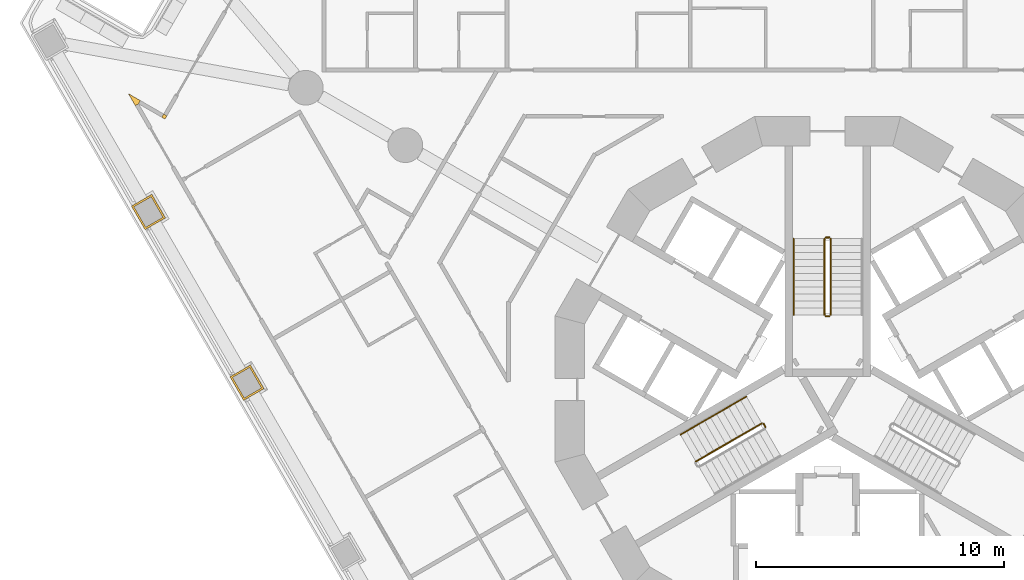
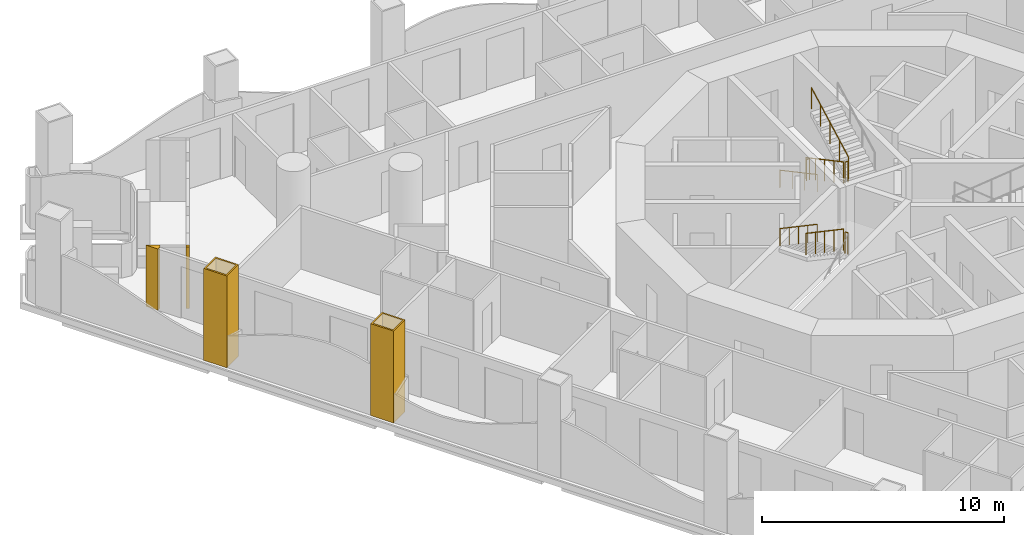
# One storey, part 15 of 19: 9 railings, 4 coverings.
"""IFC4 building model written with IfcOpenShell, lengths in metres."""

from ifc_helpers import new_model, si_unit, direction, frame, origin, origin_2d, place, context, subcontext, project, spatial, polyline, circle, outline, extrude, material, layer, layer_set, type_object, element, save


model = new_model("IFC4")

# Units and contexts
model_context = context("Model", 3, precision=1e-05, world=origin(), true_north=direction((0.0, 1.0)))
body_context = subcontext(model_context, "Body", "Model", "MODEL_VIEW")
ifc_project = project(units=[si_unit("LENGTHUNIT", "METRE"), si_unit("AREAUNIT", "SQUARE_METRE"), si_unit("VOLUMEUNIT", "CUBIC_METRE"), si_unit("PLANEANGLEUNIT", "RADIAN"), si_unit("MASSUNIT", "GRAM", prefix="KILO")], contexts=[model_context])

# Site, building, storey
site_placement = place(None, origin())
site = spatial("IfcSite", under=ifc_project, at=site_placement, CompositionType="ELEMENT")
building_placement = place(site_placement, origin())
building = spatial("IfcBuilding", under=site, at=building_placement, Name="Trine Commons Tower", CompositionType="ELEMENT")
storey_placement = place(building_placement, frame((0.0, 0.0, 42.300048828125)))
storey = spatial("IfcBuildingStorey", under=building, at=storey_placement, Name="L09", CompositionType="ELEMENT", Elevation=42.300048828125)

# Coverings
ifc_material_1 = material(Name="Aluminium-framed insulated wall panel", Category="aluminium")
ifc_layer_1 = layer(ifc_material_1, 0.14990234375)
ifc_layer_set_1 = layer_set([ifc_layer_1], Name="Aluminium-framed insulated wall panel")
covering_type_1 = type_object("IfcCoveringType", Name="Glazing corner post, aluminium", PredefinedType="CLADDING", material=ifc_layer_set_1)
covering_1_placement = place(storey_placement, origin())
element("IfcCovering", 1, at=covering_1_placement, inside=storey, type_object=covering_type_1, Name="Glazing corner post 1-01", PredefinedType="CLADDING", context=body_context, shape_type="SweptSolid", body=[
    extrude(outline(polyline([(51.75634765625, 74.43017578125), (51.75634765625, 74.43017578125), (52.036376953125, 73.9453125), (52.166259765625, 74.020263671875), (52.166259765625, 74.020263671875), (52.166259765625, 74.020263671875), (52.166259765625, 74.020263671875), (52.2412109375, 74.150146484375), (51.75634765625, 74.43017578125)])), origin(), (0.0, 0.0, 1.0), 3.099853515625),
])
covering_2_placement = place(storey_placement, origin())
element("IfcCovering", 2, at=covering_2_placement, inside=storey, type_object=covering_type_1, Name="Glazing corner post 1-02", PredefinedType="CLADDING", context=body_context, shape_type="SweptSolid", body=[
    extrude(outline(polyline([(53.1064453125, 73.4775390625), (53.236328125, 73.402587890625), (53.311279296875, 73.532470703125), (53.181396484375, 73.607421875), (53.1064453125, 73.4775390625)])), origin(), (0.0, 0.0, 1.0), 3.099853515625),
])
ifc_material_2 = material(Name="Limestone, honed", Category="masonry")
ifc_layer_2 = layer(ifc_material_2, 0.074951171875)
ifc_layer_set_2 = layer_set([ifc_layer_2], Name="Limestone, honed")
covering_type_2 = type_object("IfcCoveringType", Name="Limestone column cladding 75", PredefinedType="CLADDING", material=ifc_layer_set_2)
covering_3_placement = place(storey_placement, origin())
element("IfcCovering", 3, at=covering_3_placement, inside=storey, type_object=covering_type_2, Name="Limestone pier cladding 1-06", PredefinedType="CLADDING", context=body_context, shape_type="SweptSolid", body=[
    extrude(outline(polyline([(56.68359375, 63.46630859375), (55.860595703125, 62.9912109375), (56.41064453125, 62.03857421875), (57.2333984375, 62.513671875), (56.68359375, 63.46630859375)]), holes=[polyline([(56.656005859375, 63.36376953125), (55.963134765625, 62.9638671875), (56.438232421875, 62.14111328125), (57.131103515625, 62.541015625), (56.656005859375, 63.36376953125)])]), origin(), (0.0, 0.0, 1.0), 4.641357421875),
])
covering_4_placement = place(storey_placement, origin())
element("IfcCovering", 4, at=covering_4_placement, inside=storey, type_object=covering_type_2, Name="Limestone pier cladding 1-07", PredefinedType="CLADDING", context=body_context, shape_type="SweptSolid", body=[
    extrude(outline(polyline([(52.701904296875, 70.36279296875), (51.87890625, 69.8876953125), (52.428955078125, 68.93505859375), (53.251708984375, 69.41015625), (52.701904296875, 70.36279296875)]), holes=[polyline([(52.67431640625, 70.26025390625), (51.9814453125, 69.8603515625), (52.45654296875, 69.03759765625), (53.1494140625, 69.4375), (52.67431640625, 70.26025390625)])]), origin(), (0.0, 0.0, 1.0), 4.641357421875),
])

# Railings
ifc_material_3 = material(Name="Stainless steel balustrade", Category="steel")
railing_type_1 = type_object("IfcRailingType", Name="Stair guard, steel balustrade 1100", PredefinedType="GUARDRAIL", material=ifc_material_3)
railing_1_placement = place(storey_placement, frame((79.875, 68.570556640625, 0.14990234375)))
element("IfcRailing", 5, at=railing_1_placement, inside=storey, type_object=railing_type_1, Name="L09 ST1A stair guard 1", PredefinedType="GUARDRAIL", context=body_context, shape_type="SweptSolid", body=[
    extrude(circle(Radius=0.02392578125, at=origin_2d()), frame((0.0, 0.0, 1.076171875), z_axis=(0.0, -0.881467505477, 0.472244678941), x_axis=(1.0, 0.0, 0.0)), (0.0, 0.0, 1.0), 3.494140625),
    extrude(circle(Radius=0.02099609375, at=origin_2d()), origin(), (0.0, 0.0, 1.0), 1.052001953125),
    extrude(circle(Radius=0.02099609375, at=origin_2d()), frame((0.0, -0.77001953125, 0.41259765625)), (0.0, 0.0, 1.0), 1.052001953125),
    extrude(circle(Radius=0.02099609375, at=origin_2d()), frame((0.0, -1.5400390625, 0.8251953125)), (0.0, 0.0, 1.0), 1.052001953125),
    extrude(circle(Radius=0.02099609375, at=origin_2d()), frame((0.0, -2.31005859375, 1.237548828125)), (0.0, 0.0, 1.0), 1.052001953125),
    extrude(circle(Radius=0.02099609375, at=origin_2d()), frame((0.0, -3.080078125, 1.650146484375)), (0.0, 0.0, 1.0), 1.052001953125),
])
railing_2_placement = place(storey_placement, frame((79.925048828125, 65.440673828125, 1.800048828125)))
element("IfcRailing", 6, at=railing_2_placement, inside=storey, type_object=railing_type_1, Name="L09 ST1A stair guard 2", PredefinedType="GUARDRAIL", context=body_context, shape_type="SweptSolid", body=[
    extrude(circle(Radius=0.02392578125, at=origin_2d()), frame((0.0, 0.0, 1.076171875), z_axis=(1.0, 0.0, 0.0), x_axis=(0.0, 1.0, 0.0)), (0.0, 0.0, 1.0), 0.14990234375),
    extrude(circle(Radius=0.02099609375, at=origin_2d()), origin(), (0.0, 0.0, 1.0), 1.052001953125),
    extrude(circle(Radius=0.02099609375, at=origin_2d()), frame((0.14990234375, 0.0, 0.0)), (0.0, 0.0, 1.0), 1.052001953125),
])
railing_3_placement = place(storey_placement, frame((80.125, 65.490478515625, 1.949951171875)))
element("IfcRailing", 7, at=railing_3_placement, inside=storey, type_object=railing_type_1, Name="L09 ST1A stair guard 3", PredefinedType="GUARDRAIL", context=body_context, shape_type="SweptSolid", body=[
    extrude(circle(Radius=0.02392578125, at=origin_2d()), frame((0.0, 0.0, 1.076171875), z_axis=(0.0, 0.881496589024, 0.472190389079), x_axis=(-1.0, 0.0, 0.0)), (0.0, 0.0, 1.0), 3.494140625),
    extrude(circle(Radius=0.02099609375, at=origin_2d()), origin(), (0.0, 0.0, 1.0), 1.052001953125),
    extrude(circle(Radius=0.02099609375, at=origin_2d()), frame((0.0, 0.77001953125, 0.41259765625)), (0.0, 0.0, 1.0), 1.052001953125),
    extrude(circle(Radius=0.02099609375, at=origin_2d()), frame((0.0, 1.5400390625, 0.824951171875)), (0.0, 0.0, 1.0), 1.052001953125),
    extrude(circle(Radius=0.02099609375, at=origin_2d()), frame((0.0, 2.31005859375, 1.2373046875)), (0.0, 0.0, 1.0), 1.052001953125),
    extrude(circle(Radius=0.02099609375, at=origin_2d()), frame((0.0, 3.080078125, 1.64990234375)), (0.0, 0.0, 1.0), 1.052001953125),
])
railing_4_placement = place(storey_placement, frame((79.925048828125, 68.62060546875, 0.0)))
element("IfcRailing", 8, at=railing_4_placement, inside=storey, type_object=railing_type_1, Name="L09 ST1A stair guard 4", PredefinedType="GUARDRAIL", context=body_context, shape_type="SweptSolid", body=[
    extrude(circle(Radius=0.02392578125, at=origin_2d()), frame((0.0, 0.0, 1.076171875), z_axis=(1.0, 0.0, 0.0), x_axis=(0.0, 1.0, 0.0)), (0.0, 0.0, 1.0), 0.14990234375),
    extrude(circle(Radius=0.02099609375, at=origin_2d()), origin(), (0.0, 0.0, 1.0), 1.052001953125),
    extrude(circle(Radius=0.02099609375, at=origin_2d()), frame((0.14990234375, 0.0, 0.0)), (0.0, 0.0, 1.0), 1.052001953125),
])
railing_5_placement = place(storey_placement, frame((77.490966796875, 60.96484375, 1.800048828125)))
element("IfcRailing", 9, at=railing_5_placement, inside=storey, type_object=railing_type_1, Name="L09 ST2A stair guard 2", PredefinedType="GUARDRAIL", context=body_context, shape_type="SweptSolid", body=[
    extrude(circle(Radius=0.02392578125, at=origin_2d()), frame((0.0, 0.0, 1.076171875), z_axis=(-0.501036270542, 0.865426285481, 0.0), x_axis=(-0.865426285481, -0.501036270542, 0.0)), (0.0, 0.0, 1.0), 0.150146484375),
    extrude(circle(Radius=0.02099609375, at=origin_2d()), origin(), (0.0, 0.0, 1.0), 1.052001953125),
    extrude(circle(Radius=0.02099609375, at=origin_2d()), frame((-0.0751953125, 0.1298828125, 0.0)), (0.0, 0.0, 1.0), 1.052001953125),
])
railing_6_placement = place(storey_placement, frame((77.34765625, 61.113037109375, 1.949951171875)))
element("IfcRailing", 10, at=railing_6_placement, inside=storey, type_object=railing_type_1, Name="L09 ST2A stair guard 3", PredefinedType="GUARDRAIL", context=body_context, shape_type="SweptSolid", body=[
    extrude(circle(Radius=0.02392578125, at=origin_2d()), frame((0.0, 0.0, 1.076171875), z_axis=(-0.76340495495, -0.440743040072, 0.472184759798), x_axis=(0.499992328818, -0.866029832698, 0.0)), (0.0, 0.0, 1.0), 3.494140625),
    extrude(circle(Radius=0.02099609375, at=origin_2d()), origin(), (0.0, 0.0, 1.0), 1.052001953125),
    extrude(circle(Radius=0.02099609375, at=origin_2d()), frame((-0.6669921875, -0.385009765625, 0.41259765625)), (0.0, 0.0, 1.0), 1.052001953125),
    extrude(circle(Radius=0.02099609375, at=origin_2d()), frame((-1.333740234375, -0.77001953125, 0.824951171875)), (0.0, 0.0, 1.0), 1.052001953125),
    extrude(circle(Radius=0.02099609375, at=origin_2d()), frame((-2.00048828125, -1.155029296875, 1.2373046875)), (0.0, 0.0, 1.0), 1.052001953125),
    extrude(circle(Radius=0.02099609375, at=origin_2d()), frame((-2.66748046875, -1.5400390625, 1.64990234375)), (0.0, 0.0, 1.0), 1.052001953125),
])
ifc_material_4 = material(Name="Stainless steel handrail", Category="steel")
railing_type_2 = type_object("IfcRailingType", Name="Stair handrail, steel 900", PredefinedType="HANDRAIL", material=ifc_material_4)
railing_7_placement = place(storey_placement, frame((78.625, 68.570556640625, 0.14990234375)))
element("IfcRailing", 11, at=railing_7_placement, inside=storey, type_object=railing_type_2, Name="L09 ST1A stair handrail 1", PredefinedType="HANDRAIL", context=body_context, shape_type="SweptSolid", body=[
    extrude(circle(Radius=0.02099609375, at=origin_2d()), frame((0.0, 0.0, 0.87890625), z_axis=(0.0, -0.881467505477, 0.472244678941), x_axis=(1.0, 0.0, 0.0)), (0.0, 0.0, 1.0), 3.494140625),
    extrude(circle(Radius=0.01513671875, at=origin_2d()), origin(), (0.0, 0.0, 1.0), 0.85791015625),
    extrude(circle(Radius=0.01513671875, at=origin_2d()), frame((0.0, -1.026611328125, 0.550048828125)), (0.0, 0.0, 1.0), 0.85791015625),
    extrude(circle(Radius=0.01513671875, at=origin_2d()), frame((0.0, -2.053466796875, 1.10009765625)), (0.0, 0.0, 1.0), 0.85791015625),
    extrude(circle(Radius=0.01513671875, at=origin_2d()), frame((0.0, -3.080078125, 1.650146484375)), (0.0, 0.0, 1.0), 0.85791015625),
])
for number, where, name in (
    (12, (76.72265625, 62.195556640625, 1.949951171875), "L09 ST2A stair handrail 3"),
    (13, (75.388916015625, 61.425537109375, 2.77490234375), "L09 ST2A stair handrail 4"),
):
    element("IfcRailing", number, at=place(storey_placement, frame(where)), inside=storey, type_object=railing_type_2, Name=name, PredefinedType="HANDRAIL", context=body_context, shape_type="SweptSolid", body=[
        extrude(circle(Radius=0.02099609375, at=origin_2d()), frame((0.0, 0.0, 0.87890625), z_axis=(-0.76340495495, -0.440743040072, 0.472184759798), x_axis=(0.499992328818, -0.866029832698, 0.0)), (0.0, 0.0, 1.0), 1.7470703125),
        extrude(circle(Radius=0.01513671875, at=origin_2d()), origin(), (0.0, 0.0, 1.0), 0.85791015625),
        extrude(circle(Radius=0.01513671875, at=origin_2d()), frame((-0.6669921875, -0.385009765625, 0.41259765625)), (0.0, 0.0, 1.0), 0.85791015625),
        extrude(circle(Radius=0.01513671875, at=origin_2d()), frame((-1.333740234375, -0.77001953125, 0.824951171875)), (0.0, 0.0, 1.0), 0.85791015625),
    ])

save(model, "model.ifc")
